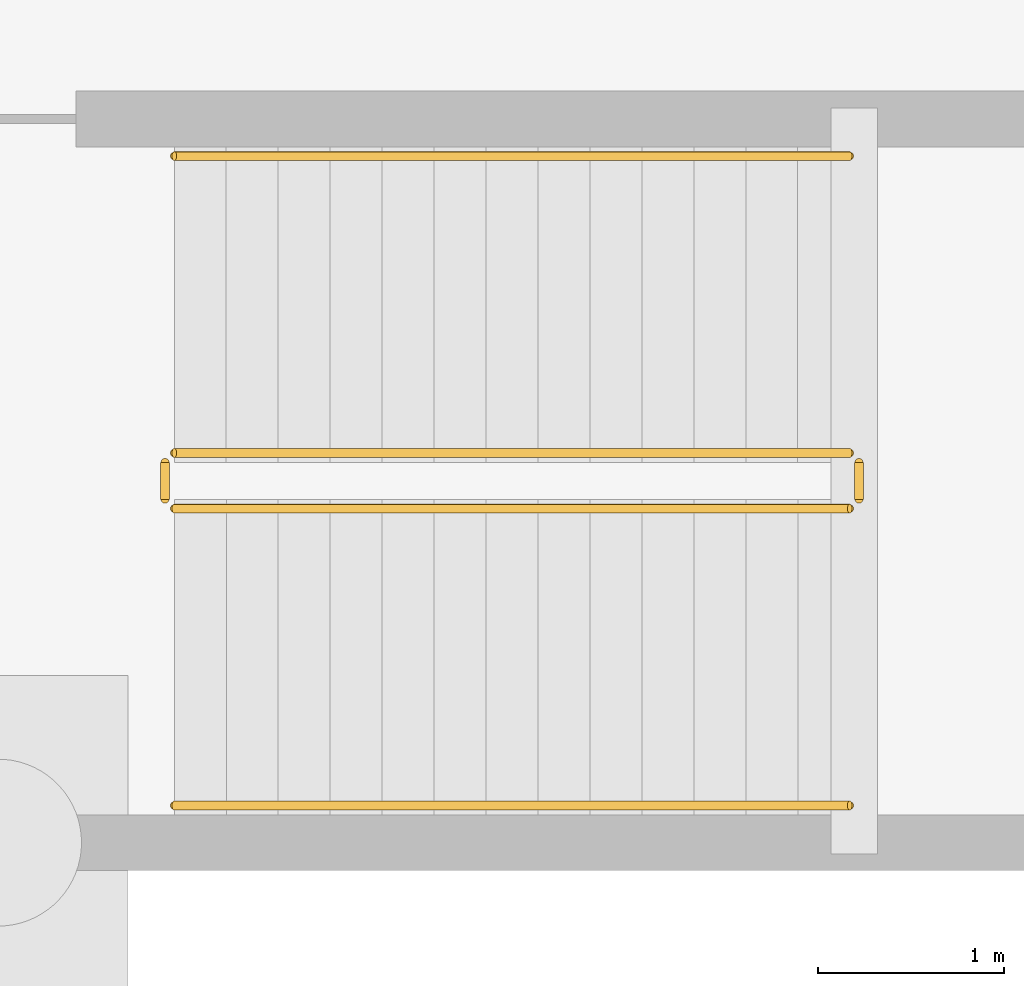
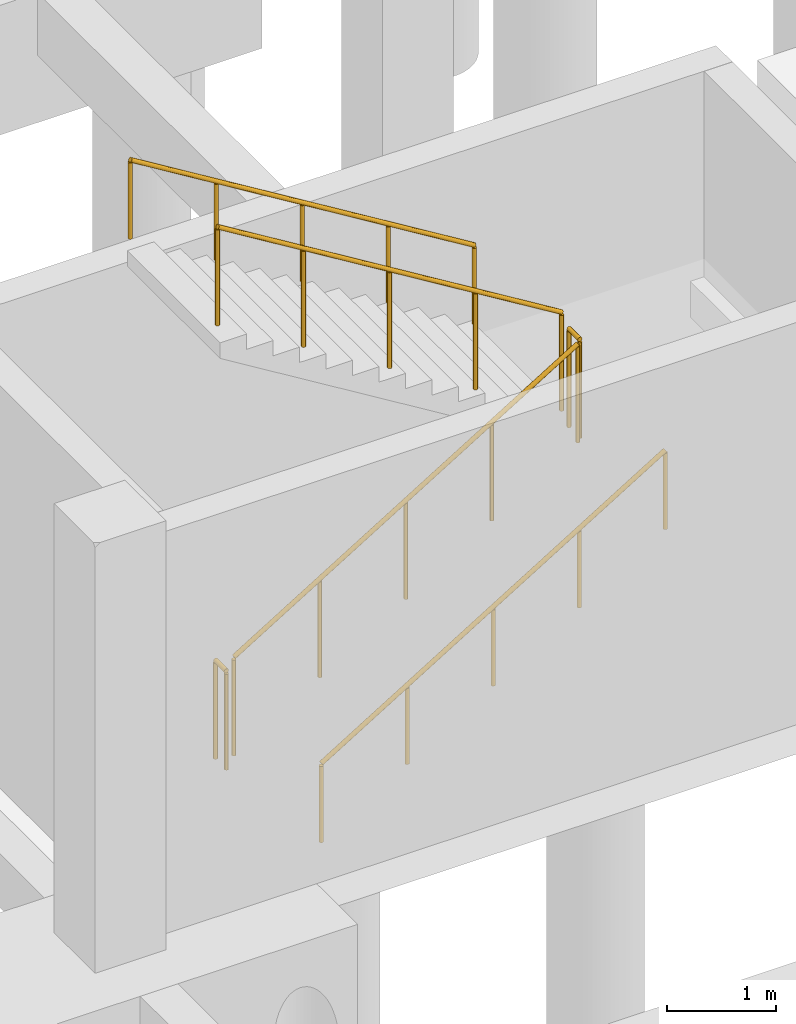
# One storey, part 30 of 35: 6 railings.
"""IFC4 building model written with IfcOpenShell, lengths in metres."""

from ifc_helpers import new_model, si_unit, direction, frame, origin, origin_2d, place, context, subcontext, project, spatial, circle, extrude, material, type_object, element, save


model = new_model("IFC4")

# Units and contexts
model_context = context("Model", 3, precision=1e-05, world=origin(), true_north=direction((0.0, 1.0)))
body_context = subcontext(model_context, "Body", "Model", "MODEL_VIEW")
ifc_project = project(units=[si_unit("LENGTHUNIT", "METRE"), si_unit("AREAUNIT", "SQUARE_METRE"), si_unit("VOLUMEUNIT", "CUBIC_METRE"), si_unit("PLANEANGLEUNIT", "RADIAN"), si_unit("MASSUNIT", "GRAM", prefix="KILO"), si_unit("THERMODYNAMICTEMPERATUREUNIT", "KELVIN"), si_unit("POWERUNIT", "WATT")], contexts=[model_context])

# Site, building, storey
site_placement = place(None, origin())
site = spatial("IfcSite", under=ifc_project, at=site_placement, CompositionType="ELEMENT")
building_placement = place(site_placement, origin())
building = spatial("IfcBuilding", under=site, at=building_placement, Name="Kaldorven Railside Theatre", CompositionType="ELEMENT")
storey_placement = place(building_placement, frame((0.0, 0.0, -4.800048828125)))
storey = spatial("IfcBuildingStorey", under=building, at=storey_placement, Name="B1", CompositionType="ELEMENT", Elevation=-4.800048828125)

# Railings
ifc_material = material(Name="Steel S355", Category="steel")
railing_type_1 = type_object("IfcRailingType", Name="RLG-STG-1100", PredefinedType="BALUSTRADE", material=ifc_material)
railing_1_placement = place(storey_placement, frame((17.550048828125, 21.0, 0.17138671875)))
element("IfcRailing", 1, at=railing_1_placement, inside=storey, type_object=railing_type_1, Name="B1 ST-01 stair guard 1", PredefinedType="BALUSTRADE", context=body_context, shape_type="SweptSolid", body=[
    extrude(circle(Radius=0.02392578125, at=origin_2d()), frame((0.0, 0.0, 1.09619140625), z_axis=(0.852824790078, 0.0, 0.522197163366), x_axis=(0.0, 1.0, 0.0)), (0.0, 0.0, 1.0), 4.26806640625),
    extrude(circle(Radius=0.02099609375, at=origin_2d()), origin(), (0.0, 0.0, 1.0), 1.072021484375),
    extrude(circle(Radius=0.02099609375, at=origin_2d()), frame((0.909912109375, 0.0, 0.55712890625)), (0.0, 0.0, 1.0), 1.072021484375),
    extrude(circle(Radius=0.02099609375, at=origin_2d()), frame((1.81982421875, 0.0, 1.1142578125)), (0.0, 0.0, 1.0), 1.072021484375),
    extrude(circle(Radius=0.02099609375, at=origin_2d()), frame((2.72998046875, 0.0, 1.671630859375)), (0.0, 0.0, 1.0), 1.072021484375),
    extrude(circle(Radius=0.02099609375, at=origin_2d()), frame((3.639892578125, 0.0, 2.228759765625)), (0.0, 0.0, 1.0), 1.072021484375),
])
railing_2_placement = place(storey_placement, frame((21.239990234375, 21.050048828125, 2.400146484375)))
element("IfcRailing", 2, at=railing_2_placement, inside=storey, type_object=railing_type_1, Name="B1 ST-01 stair guard 2", PredefinedType="BALUSTRADE", context=body_context, shape_type="SweptSolid", body=[
    extrude(circle(Radius=0.02392578125, at=origin_2d()), frame((0.0, 0.0, 1.09619140625), z_axis=(0.0, 1.0, 0.0), x_axis=(-1.0, 0.0, 0.0)), (0.0, 0.0, 1.0), 0.199951171875),
    extrude(circle(Radius=0.02099609375, at=origin_2d()), origin(), (0.0, 0.0, 1.0), 1.072021484375),
    extrude(circle(Radius=0.02099609375, at=origin_2d()), frame((0.0, 0.199951171875, 0.0)), (0.0, 0.0, 1.0), 1.072021484375),
])
railing_3_placement = place(storey_placement, frame((21.18994140625, 21.300048828125, 2.571533203125)))
element("IfcRailing", 3, at=railing_3_placement, inside=storey, type_object=railing_type_1, Name="B1 ST-01 stair guard 3", PredefinedType="BALUSTRADE", context=body_context, shape_type="SweptSolid", body=[
    extrude(circle(Radius=0.02392578125, at=origin_2d()), frame((0.0, 0.0, 1.09619140625), z_axis=(-0.852850264322, 0.0, 0.5221555579), x_axis=(0.0, -1.0, 0.0)), (0.0, 0.0, 1.0), 4.267822265625),
    extrude(circle(Radius=0.02099609375, at=origin_2d()), origin(), (0.0, 0.0, 1.0), 1.072021484375),
    extrude(circle(Radius=0.02099609375, at=origin_2d()), frame((-0.909912109375, 0.0, 0.55712890625)), (0.0, 0.0, 1.0), 1.072021484375),
    extrude(circle(Radius=0.02099609375, at=origin_2d()), frame((-1.81982421875, 0.0, 1.1142578125)), (0.0, 0.0, 1.0), 1.072021484375),
    extrude(circle(Radius=0.02099609375, at=origin_2d()), frame((-2.72998046875, 0.0, 1.67138671875)), (0.0, 0.0, 1.0), 1.072021484375),
    extrude(circle(Radius=0.02099609375, at=origin_2d()), frame((-3.639892578125, 0.0, 2.228515625)), (0.0, 0.0, 1.0), 1.072021484375),
])
railing_4_placement = place(storey_placement, frame((17.5, 21.050048828125, 0.0)))
element("IfcRailing", 4, at=railing_4_placement, inside=storey, type_object=railing_type_1, Name="B1 ST-01 stair guard 4", PredefinedType="BALUSTRADE", context=body_context, shape_type="SweptSolid", body=[
    extrude(circle(Radius=0.02392578125, at=origin_2d()), frame((0.0, 0.0, 1.09619140625), z_axis=(0.0, 1.0, 0.0), x_axis=(-1.0, 0.0, 0.0)), (0.0, 0.0, 1.0), 0.199951171875),
    extrude(circle(Radius=0.02099609375, at=origin_2d()), origin(), (0.0, 0.0, 1.0), 1.072021484375),
    extrude(circle(Radius=0.02099609375, at=origin_2d()), frame((0.0, 0.199951171875, 0.0)), (0.0, 0.0, 1.0), 1.072021484375),
])
railing_type_2 = type_object("IfcRailingType", Name="RLG-STH-900", PredefinedType="HANDRAIL", material=ifc_material)
railing_5_placement = place(storey_placement, frame((17.550048828125, 19.39990234375, 0.17138671875)))
element("IfcRailing", 5, at=railing_5_placement, inside=storey, type_object=railing_type_2, Name="B1 ST-01 stair handrail 1", PredefinedType="HANDRAIL", context=body_context, shape_type="SweptSolid", body=[
    extrude(circle(Radius=0.02392578125, at=origin_2d()), frame((0.0, 0.0, 0.8759765625), z_axis=(0.852824790078, 0.0, 0.522197163366), x_axis=(0.0, 1.0, 0.0)), (0.0, 0.0, 1.0), 4.26806640625),
    extrude(circle(Radius=0.02099609375, at=origin_2d()), origin(), (0.0, 0.0, 1.0), 0.851806640625),
    extrude(circle(Radius=0.02099609375, at=origin_2d()), frame((0.909912109375, 0.0, 0.55712890625)), (0.0, 0.0, 1.0), 0.851806640625),
    extrude(circle(Radius=0.02099609375, at=origin_2d()), frame((1.81982421875, 0.0, 1.1142578125)), (0.0, 0.0, 1.0), 0.851806640625),
    extrude(circle(Radius=0.02099609375, at=origin_2d()), frame((2.72998046875, 0.0, 1.671630859375)), (0.0, 0.0, 1.0), 0.851806640625),
    extrude(circle(Radius=0.02099609375, at=origin_2d()), frame((3.639892578125, 0.0, 2.228759765625)), (0.0, 0.0, 1.0), 0.851806640625),
])
railing_6_placement = place(storey_placement, frame((21.18994140625, 22.89990234375, 2.571533203125)))
element("IfcRailing", 6, at=railing_6_placement, inside=storey, type_object=railing_type_2, Name="B1 ST-01 stair handrail 2", PredefinedType="HANDRAIL", context=body_context, shape_type="SweptSolid", body=[
    extrude(circle(Radius=0.02392578125, at=origin_2d()), frame((0.0, 0.0, 0.8759765625), z_axis=(-0.852850264322, 0.0, 0.5221555579), x_axis=(0.0, -1.0, 0.0)), (0.0, 0.0, 1.0), 4.267822265625),
    extrude(circle(Radius=0.02099609375, at=origin_2d()), origin(), (0.0, 0.0, 1.0), 0.851806640625),
    extrude(circle(Radius=0.02099609375, at=origin_2d()), frame((-0.909912109375, 0.0, 0.55712890625)), (0.0, 0.0, 1.0), 0.851806640625),
    extrude(circle(Radius=0.02099609375, at=origin_2d()), frame((-1.81982421875, 0.0, 1.1142578125)), (0.0, 0.0, 1.0), 0.851806640625),
    extrude(circle(Radius=0.02099609375, at=origin_2d()), frame((-2.72998046875, 0.0, 1.67138671875)), (0.0, 0.0, 1.0), 0.851806640625),
    extrude(circle(Radius=0.02099609375, at=origin_2d()), frame((-3.639892578125, 0.0, 2.228515625)), (0.0, 0.0, 1.0), 0.851806640625),
])

save(model, "model.ifc")
